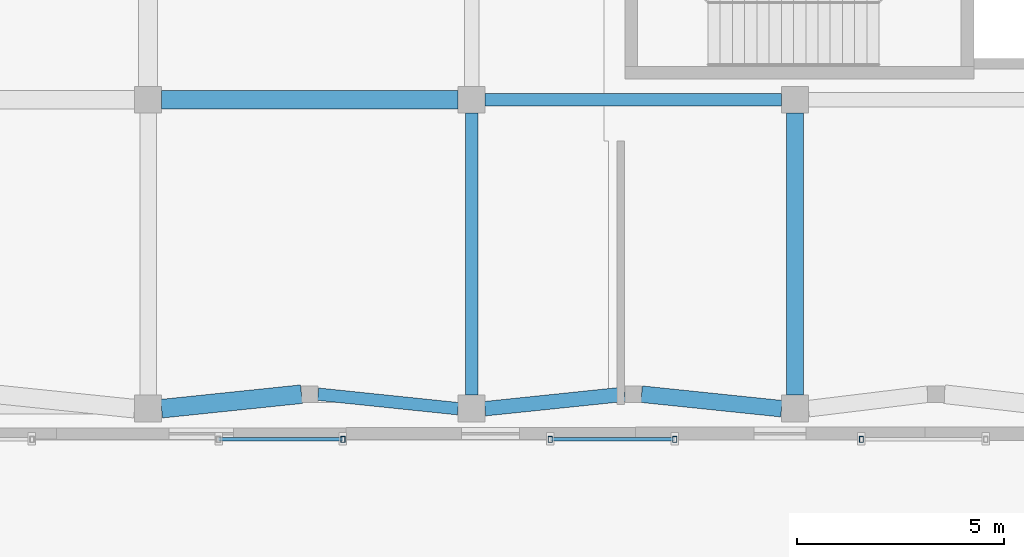
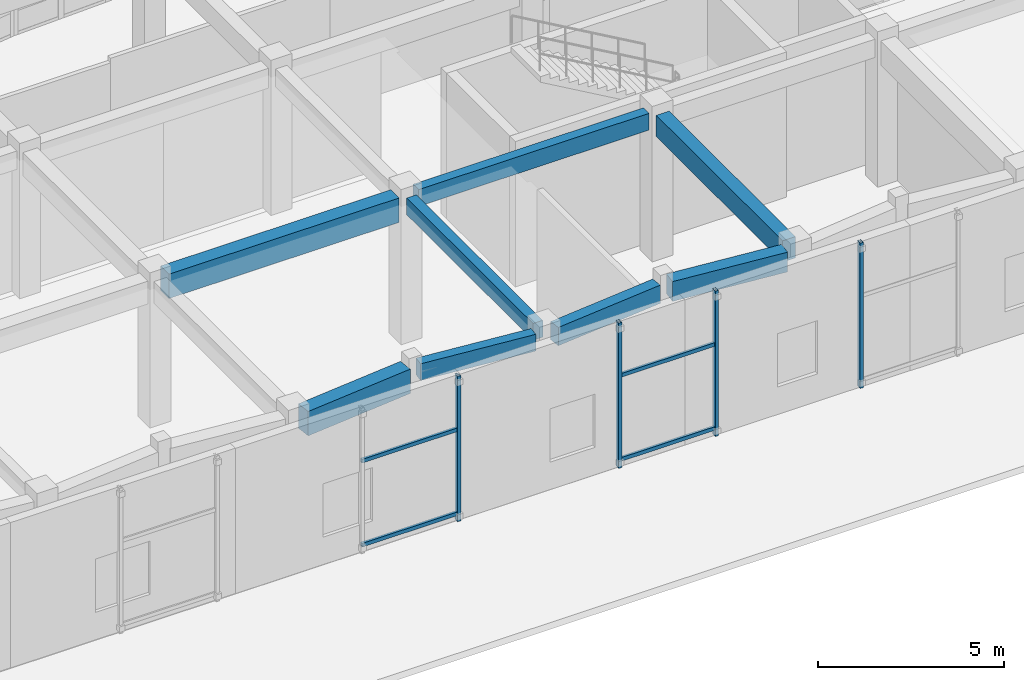
# One storey, part 28 of 121: 8 beams, 8 members.
"""IFC4 building model written with IfcOpenShell, lengths in metres."""

from ifc_helpers import new_model, si_unit, direction, frame, origin, origin_2d, place, context, subcontext, project, spatial, rectangle, hollow_rectangle, extrude, material, material_profile, profile_set, type_object, element, save


model = new_model("IFC4")

# Units and contexts
model_context = context("Model", 3, precision=1e-05, world=origin(), true_north=direction((0.0, 1.0)))
body_context = subcontext(model_context, "Body", "Model", "MODEL_VIEW")
ifc_project = project(units=[si_unit("LENGTHUNIT", "METRE"), si_unit("AREAUNIT", "SQUARE_METRE"), si_unit("VOLUMEUNIT", "CUBIC_METRE"), si_unit("PLANEANGLEUNIT", "RADIAN"), si_unit("MASSUNIT", "GRAM", prefix="KILO")], contexts=[model_context])

# Site, building, storey
site_placement = place(None, origin())
site = spatial("IfcSite", under=ifc_project, at=site_placement, CompositionType="ELEMENT")
building_placement = place(site_placement, origin())
building = spatial("IfcBuilding", under=site, at=building_placement, Name="Valcora Specialist Clinic", CompositionType="ELEMENT")
storey_placement = place(building_placement, origin())
storey = spatial("IfcBuildingStorey", under=building, at=storey_placement, Name="L00", CompositionType="ELEMENT", Elevation=0.0)

# Beams
ifc_material_1 = material(Name="Concrete C40/50", Category="concrete")
ifc_material_profile_1 = material_profile(ifc_material_1, rectangle(XDim=0.300048828125, YDim=0.550048828125, at=origin_2d()), Name="RC-BM-300X550")
ifc_profile_set_1 = profile_set([ifc_material_profile_1], Name="Concrete C40/50")
beam_type_1 = type_object("IfcBeamType", Name="TY-BM-RC300X550", PredefinedType="BEAM", material=ifc_profile_set_1)
beam_1_placement = place(storey_placement, frame((80.89990234375, 1.10009765625, 4.4951171875), z_axis=(0.994662804408, -0.103178997506, 0.0), x_axis=(0.103178997506, 0.994662804408, 0.0)))
element("IfcBeam", 1, at=beam_1_placement, inside=storey, type_object=beam_type_1, Name="Beam BM-L00-1225", PredefinedType="BEAM", context=body_context, shape_type="SweptSolid", body=[
    extrude(rectangle(XDim=0.300048828125, YDim=0.550048828125, at=origin_2d()), origin(), (0.0, 0.0, 1.0), 3.39306640625),
])
beam_2_placement = place(storey_placement, frame((84.925048828125, 8.199951171875, 4.4951171875), z_axis=(1.0, 0.0, 0.0), x_axis=(0.0, 1.0, 0.0)))
element("IfcBeam", 2, at=beam_2_placement, inside=storey, type_object=beam_type_1, Name="Beam BM-L00-1237", PredefinedType="BEAM", context=body_context, shape_type="SweptSolid", body=[
    extrude(rectangle(XDim=0.300048828125, YDim=0.550048828125, at=origin_2d()), origin(), (0.0, 0.0, 1.0), 7.14990234375),
])
beam_3_placement = place(storey_placement, frame((84.60009765625, 1.074951171875, 4.4951171875), z_axis=(0.0, 1.0, 0.0), x_axis=(-1.0, 0.0, 0.0)))
element("IfcBeam", 3, at=beam_3_placement, inside=storey, type_object=beam_type_1, Name="Beam BM-L00-1271", PredefinedType="BEAM", context=body_context, shape_type="SweptSolid", body=[
    extrude(rectangle(XDim=0.300048828125, YDim=0.550048828125, at=origin_2d()), origin(), (0.0, 0.0, 1.0), 6.800048828125),
])
ifc_material_profile_2 = material_profile(ifc_material_1, rectangle(XDim=0.35009765625, YDim=0.60009765625, at=origin_2d()), Name="RC-BM-350X600")
ifc_profile_set_2 = profile_set([ifc_material_profile_2], Name="Concrete C40/50")
beam_type_2 = type_object("IfcBeamType", Name="TY-BM-RC350X600", PredefinedType="BEAM", material=ifc_profile_set_2)
beam_4_placement = place(storey_placement, frame((84.925048828125, 0.75, 4.469970703125), z_axis=(0.994662804408, 0.103178997506, 0.0), x_axis=(-0.103178997506, 0.994662804408, 0.0)))
element("IfcBeam", 4, at=beam_4_placement, inside=storey, type_object=beam_type_2, Name="Beam BM-L00-1226", PredefinedType="BEAM", context=body_context, shape_type="SweptSolid", body=[
    extrude(rectangle(XDim=0.35009765625, YDim=0.60009765625, at=origin_2d()), origin(), (0.0, 0.0, 1.0), 3.39306640625),
])
ifc_material_profile_3 = material_profile(ifc_material_1, rectangle(XDim=0.39990234375, YDim=0.64990234375, at=origin_2d()), Name="RC-BM-400X650")
ifc_profile_set_3 = profile_set([ifc_material_profile_3], Name="Concrete C40/50")
beam_type_3 = type_object("IfcBeamType", Name="TY-BM-RC400X650", PredefinedType="BEAM", material=ifc_profile_set_3)
beam_5_placement = place(storey_placement, frame((88.699951171875, 1.10009765625, 4.445068359375), z_axis=(0.994662804408, -0.103178997506, 0.0), x_axis=(0.103178997506, 0.994662804408, 0.0)))
element("IfcBeam", 5, at=beam_5_placement, inside=storey, type_object=beam_type_3, Name="Beam BM-L00-1227", PredefinedType="BEAM", context=body_context, shape_type="SweptSolid", body=[
    extrude(rectangle(XDim=0.39990234375, YDim=0.64990234375, at=origin_2d()), origin(), (0.0, 0.0, 1.0), 3.39306640625),
])
ifc_material_profile_4 = material_profile(ifc_material_1, rectangle(XDim=0.39990234375, YDim=0.699951171875, at=origin_2d()), Name="RC-BM-400X700")
ifc_profile_set_4 = profile_set([ifc_material_profile_4], Name="Concrete C40/50")
beam_type_4 = type_object("IfcBeamType", Name="TY-BM-RC400X700", PredefinedType="BEAM", material=ifc_profile_set_4)
beam_6_placement = place(storey_placement, frame((92.39990234375, 1.074951171875, 4.419921875), z_axis=(0.0, 1.0, 0.0), x_axis=(-1.0, 0.0, 0.0)))
element("IfcBeam", 6, at=beam_6_placement, inside=storey, type_object=beam_type_4, Name="Beam BM-L00-1274", PredefinedType="BEAM", context=body_context, shape_type="SweptSolid", body=[
    extrude(rectangle(XDim=0.39990234375, YDim=0.699951171875, at=origin_2d()), origin(), (0.0, 0.0, 1.0), 6.800048828125),
])
ifc_material_profile_5 = material_profile(ifc_material_1, rectangle(XDim=0.449951171875, YDim=0.800048828125, at=origin_2d()), Name="RC-BM-450X800")
ifc_profile_set_5 = profile_set([ifc_material_profile_5], Name="Concrete C40/50")
beam_type_5 = type_object("IfcBeamType", Name="TY-BM-RC450X800", PredefinedType="BEAM", material=ifc_profile_set_5)
beam_7_placement = place(storey_placement, frame((77.125, 0.75, 4.3701171875), z_axis=(0.994662804408, 0.103178997506, 0.0), x_axis=(-0.103178997506, 0.994662804408, 0.0)))
element("IfcBeam", 7, at=beam_7_placement, inside=storey, type_object=beam_type_5, Name="Beam BM-L00-1224", PredefinedType="BEAM", context=body_context, shape_type="SweptSolid", body=[
    extrude(rectangle(XDim=0.449951171875, YDim=0.800048828125, at=origin_2d()), origin(), (0.0, 0.0, 1.0), 3.39306640625),
])
beam_8_placement = place(storey_placement, frame((77.125, 8.199951171875, 4.3701171875), z_axis=(1.0, 0.0, 0.0), x_axis=(0.0, 1.0, 0.0)))
element("IfcBeam", 8, at=beam_8_placement, inside=storey, type_object=beam_type_5, Name="Beam BM-L00-1236", PredefinedType="BEAM", context=body_context, shape_type="SweptSolid", body=[
    extrude(rectangle(XDim=0.449951171875, YDim=0.800048828125, at=origin_2d()), origin(), (0.0, 0.0, 1.0), 7.14990234375),
])

# Members
ifc_material_2 = material(Name="Steel ASTM A500 Grade C", Category="steel")
ifc_material_profile_6 = material_profile(ifc_material_2, hollow_rectangle(XDim=0.10009765625, YDim=0.14990234375, WallThickness=0.006103515625, at=origin_2d()), Name="ST-RHS-150X100X6")
ifc_profile_set_6 = profile_set([ifc_material_profile_6], Name="Steel ASTM A500 Grade C")
member_type_1 = type_object("IfcMemberType", Name="TY-MB-SFPOST", PredefinedType="POST", material=ifc_profile_set_6)
for number, where, z_axis, x_axis, name in (
    (9, (81.5, 0.010009765625, 0.0), (0.0, 0.0, 1.0), (1.0, 0.0, 0.0), "Brick screen carrier post 30"),
    (10, (86.5, 0.010009765625, 0.0), (0.0, 0.0, 1.0), (1.0, 0.0, 0.0), "Brick screen carrier post 33"),
    (11, (89.5, 0.010009765625, 0.0), (0.0, 0.0, 1.0), (1.0, 0.0, 0.0), "Brick screen carrier post 34"),
    (12, (94.0, 0.010009765625, 0.0), (0.0, 0.0, 1.0), (1.0, 0.0, 0.0), "Brick screen carrier post 37"),
):
    element("IfcMember", number, at=place(storey_placement, frame(where, z_axis=z_axis, x_axis=x_axis)), inside=storey, type_object=member_type_1, Name=name, PredefinedType="POST", context=body_context, shape_type="SweptSolid", body=[
        extrude(hollow_rectangle(XDim=0.10009765625, YDim=0.14990234375, WallThickness=0.006103515625, at=origin_2d()), origin(), (0.0, 0.0, 1.0), 4.77001953125),
    ])
ifc_material_profile_7 = material_profile(ifc_material_2, hollow_rectangle(XDim=0.080078125, YDim=0.1201171875, WallThickness=0.0048828125, at=origin_2d()), Name="ST-RHS-120X80X5")
ifc_profile_set_7 = profile_set([ifc_material_profile_7], Name="Steel ASTM A500 Grade C")
member_type_2 = type_object("IfcMemberType", Name="TY-MB-SFRAIL", PredefinedType="STRINGER", material=ifc_profile_set_7)
for number, where, z_axis, x_axis, name in (
    (13, (78.5, 0.010009765625, 0.239990234375), (1.0, 0.0, 0.0), (0.0, 1.0, 0.0), "Brick screen carrier rail 31"),
    (14, (78.5, 0.010009765625, 3.0), (1.0, 0.0, 0.0), (0.0, 1.0, 0.0), "Brick screen carrier rail 32"),
    (15, (86.5, 0.010009765625, 0.239990234375), (1.0, 0.0, 0.0), (0.0, 1.0, 0.0), "Brick screen carrier rail 35"),
    (16, (86.5, 0.010009765625, 3.0), (1.0, 0.0, 0.0), (0.0, 1.0, 0.0), "Brick screen carrier rail 36"),
):
    element("IfcMember", number, at=place(storey_placement, frame(where, z_axis=z_axis, x_axis=x_axis)), inside=storey, type_object=member_type_2, Name=name, PredefinedType="STRINGER", context=body_context, shape_type="SweptSolid", body=[
        extrude(hollow_rectangle(XDim=0.080078125, YDim=0.1201171875, WallThickness=0.0048828125, at=origin_2d()), origin(), (0.0, 0.0, 1.0), 3.0),
    ])

save(model, "model.ifc")
